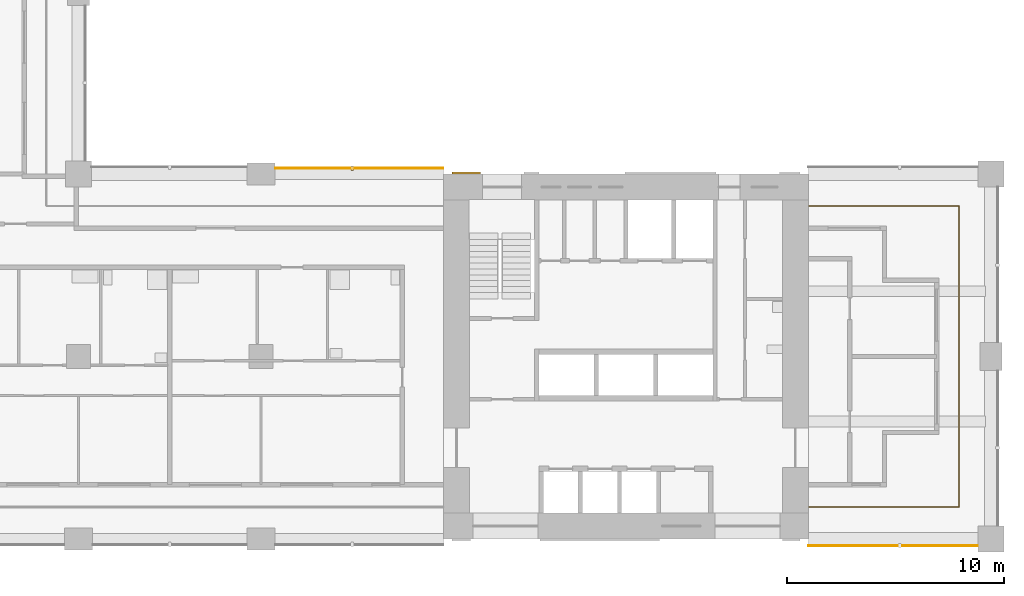
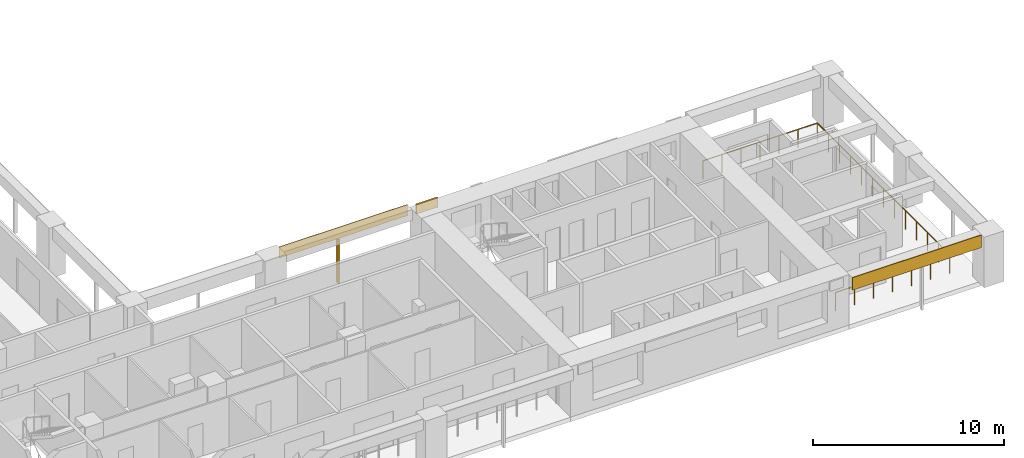
# One storey, part 12 of 17: 4 shading devices, 1 railing.
"""IFC4 building model written with IfcOpenShell, lengths in metres."""

from ifc_helpers import new_model, si_unit, direction, frame, origin, origin_2d, place, context, subcontext, project, spatial, rectangle, circle, extrude, material, layer, layer_set, material_profile, profile_set, type_object, element, save


model = new_model("IFC4")

# Units and contexts
model_context = context("Model", 3, precision=1e-05, world=origin(), true_north=direction((0.0, 1.0)))
body_context = subcontext(model_context, "Body", "Model", "MODEL_VIEW")
ifc_project = project(units=[si_unit("LENGTHUNIT", "METRE"), si_unit("AREAUNIT", "SQUARE_METRE"), si_unit("VOLUMEUNIT", "CUBIC_METRE"), si_unit("PLANEANGLEUNIT", "RADIAN"), si_unit("MASSUNIT", "GRAM", prefix="KILO")], contexts=[model_context])

# Site, building, storey
site_placement = place(None, origin())
site = spatial("IfcSite", under=ifc_project, at=site_placement, CompositionType="ELEMENT")
building_placement = place(site_placement, origin())
building = spatial("IfcBuilding", under=site, at=building_placement, Name="Vermilion Gate Residences", CompositionType="ELEMENT")
storey_placement = place(building_placement, frame((0.0, 0.0, 112.699951171875)))
storey = spatial("IfcBuildingStorey", under=building, at=storey_placement, Name="L28", CompositionType="ELEMENT", Elevation=112.699951171875)

# Railing
ifc_material_1 = material(Name="Stainless steel and toughened glass", Category="steel")
railing_type = type_object("IfcRailingType", Name="LOGGIA GUARD STEEL AND GLASS 1200", PredefinedType="GUARDRAIL", material=ifc_material_1)
railing_placement = place(storey_placement, frame((58.822021484375, 9.875, 0.0)))
element("IfcRailing", 1, at=railing_placement, inside=storey, type_object=railing_type, Name="Loggia guard", PredefinedType="GUARDRAIL", context=body_context, shape_type="SweptSolid", body=[
    extrude(circle(Radius=0.030029296875, at=origin_2d()), frame((0.0, 0.0, 1.169921875), z_axis=(1.0, 0.0, 0.0), x_axis=(0.0, 1.0, 0.0)), (0.0, 0.0, 1.0), 6.903076171875),
    extrude(circle(Radius=0.030029296875, at=origin_2d()), frame((6.903076171875, 0.0, 1.169921875), z_axis=(0.0, 1.0, 0.0), x_axis=(-1.0, 0.0, 0.0)), (0.0, 0.0, 1.0), 13.85009765625),
    extrude(circle(Radius=0.030029296875, at=origin_2d()), frame((6.903076171875, 13.85009765625, 1.169921875), z_axis=(-1.0, 0.0, 0.0), x_axis=(0.0, -1.0, 0.0)), (0.0, 0.0, 1.0), 6.903076171875),
    extrude(circle(Radius=0.02490234375, at=origin_2d()), origin(), (0.0, 0.0, 1.0), 1.139892578125),
    extrude(circle(Radius=0.02490234375, at=origin_2d()), frame((1.150390625, 0.0, 0.0)), (0.0, 0.0, 1.0), 1.139892578125),
    extrude(circle(Radius=0.02490234375, at=origin_2d()), frame((2.301025390625, 0.0, 0.0)), (0.0, 0.0, 1.0), 1.139892578125),
    extrude(circle(Radius=0.02490234375, at=origin_2d()), frame((3.45166015625, 0.0, 0.0)), (0.0, 0.0, 1.0), 1.139892578125),
    extrude(circle(Radius=0.02490234375, at=origin_2d()), frame((4.60205078125, 0.0, 0.0)), (0.0, 0.0, 1.0), 1.139892578125),
    extrude(circle(Radius=0.02490234375, at=origin_2d()), frame((5.75244140625, 0.0, 0.0)), (0.0, 0.0, 1.0), 1.139892578125),
    extrude(circle(Radius=0.02490234375, at=origin_2d()), frame((6.903076171875, 0.0, 0.0)), (0.0, 0.0, 1.0), 1.139892578125),
    extrude(circle(Radius=0.02490234375, at=origin_2d()), frame((6.903076171875, 1.154296875, 0.0)), (0.0, 0.0, 1.0), 1.139892578125),
    extrude(circle(Radius=0.02490234375, at=origin_2d()), frame((6.903076171875, 2.308349609375, 0.0)), (0.0, 0.0, 1.0), 1.139892578125),
    extrude(circle(Radius=0.02490234375, at=origin_2d()), frame((6.903076171875, 3.46240234375, 0.0)), (0.0, 0.0, 1.0), 1.139892578125),
    extrude(circle(Radius=0.02490234375, at=origin_2d()), frame((6.903076171875, 4.61669921875, 0.0)), (0.0, 0.0, 1.0), 1.139892578125),
    extrude(circle(Radius=0.02490234375, at=origin_2d()), frame((6.903076171875, 5.77099609375, 0.0)), (0.0, 0.0, 1.0), 1.139892578125),
    extrude(circle(Radius=0.02490234375, at=origin_2d()), frame((6.903076171875, 6.925048828125, 0.0)), (0.0, 0.0, 1.0), 1.139892578125),
    extrude(circle(Radius=0.02490234375, at=origin_2d()), frame((6.903076171875, 8.0791015625, 0.0)), (0.0, 0.0, 1.0), 1.139892578125),
    extrude(circle(Radius=0.02490234375, at=origin_2d()), frame((6.903076171875, 9.2333984375, 0.0)), (0.0, 0.0, 1.0), 1.139892578125),
    extrude(circle(Radius=0.02490234375, at=origin_2d()), frame((6.903076171875, 10.3876953125, 0.0)), (0.0, 0.0, 1.0), 1.139892578125),
    extrude(circle(Radius=0.02490234375, at=origin_2d()), frame((6.903076171875, 11.541748046875, 0.0)), (0.0, 0.0, 1.0), 1.139892578125),
    extrude(circle(Radius=0.02490234375, at=origin_2d()), frame((6.903076171875, 12.69580078125, 0.0)), (0.0, 0.0, 1.0), 1.139892578125),
    extrude(circle(Radius=0.02490234375, at=origin_2d()), frame((6.903076171875, 13.85009765625, 0.0)), (0.0, 0.0, 1.0), 1.139892578125),
    extrude(circle(Radius=0.02490234375, at=origin_2d()), frame((5.75244140625, 13.85009765625, 0.0)), (0.0, 0.0, 1.0), 1.139892578125),
    extrude(circle(Radius=0.02490234375, at=origin_2d()), frame((4.60205078125, 13.85009765625, 0.0)), (0.0, 0.0, 1.0), 1.139892578125),
    extrude(circle(Radius=0.02490234375, at=origin_2d()), frame((3.45166015625, 13.85009765625, 0.0)), (0.0, 0.0, 1.0), 1.139892578125),
    extrude(circle(Radius=0.02490234375, at=origin_2d()), frame((2.301025390625, 13.85009765625, 0.0)), (0.0, 0.0, 1.0), 1.139892578125),
    extrude(circle(Radius=0.02490234375, at=origin_2d()), frame((1.150390625, 13.85009765625, 0.0)), (0.0, 0.0, 1.0), 1.139892578125),
    extrude(circle(Radius=0.02490234375, at=origin_2d()), frame((0.0, 13.85009765625, 0.0)), (0.0, 0.0, 1.0), 1.139892578125),
])

# Shading devices
ifc_material_2 = material(Name="Perforated terracotta", Category="masonry")
ifc_layer_1 = layer(ifc_material_2, 0.0400390625)
ifc_layer_set_1 = layer_set([ifc_layer_1], Name="PERFORATED TERRACOTTA SCREEN 40")
shading_device_type_1 = type_object("IfcShadingDeviceType", Name="PERFORATED TERRACOTTA SCREEN 40", PredefinedType="SHUTTER", material=ifc_layer_set_1)
shading_device_1_placement = place(storey_placement, frame((62.699951171875, 8.080078125, 2.419921875), z_axis=(0.0, 0.0, 1.0), x_axis=(1.0, 0.0, 0.0)))
element("IfcShadingDevice", 2, at=shading_device_1_placement, inside=storey, type_object=shading_device_type_1, Name="SCREEN", PredefinedType="SHUTTER", context=body_context, shape_type="SweptSolid", body=[
    extrude(rectangle(XDim=7.800048828125, YDim=0.0400390625, at=origin_2d()), origin(), (0.0, 0.0, 1.0), 0.800048828125),
])
shading_device_2_placement = place(storey_placement, frame((38.125, 25.469970703125, 2.52001953125), z_axis=(0.0, 0.0, 1.0), x_axis=(-1.0, 0.0, 0.0)))
element("IfcShadingDevice", 3, at=shading_device_2_placement, inside=storey, type_object=shading_device_type_1, Name="SCREEN", PredefinedType="SHUTTER", context=body_context, shape_type="SweptSolid", body=[
    extrude(rectangle(XDim=7.75, YDim=0.0400390625, at=origin_2d()), origin(), (0.0, 0.0, 1.0), 0.699951171875),
])
ifc_material_3 = material(Name="Extruded terracotta", Category="masonry")
ifc_material_profile = material_profile(ifc_material_3, rectangle(XDim=0.199951171875, YDim=0.10009765625, at=origin_2d()), Name="BAGUETTE 100 X 200")
ifc_profile_set = profile_set([ifc_material_profile], Name="Extruded terracotta")
shading_device_type_2 = type_object("IfcShadingDeviceType", Name="TERRACOTTA BAGUETTE 100 X 200", PredefinedType="JALOUSIE", material=ifc_profile_set)
shading_device_3_placement = place(storey_placement, frame((37.800048828125, 25.449951171875, -0.280029296875), z_axis=(0.0, 0.0, 1.0), x_axis=(0.0, -1.0, 0.0)))
element("IfcShadingDevice", 4, at=shading_device_3_placement, inside=storey, type_object=shading_device_type_2, Name="BAGUETTE", PredefinedType="JALOUSIE", context=body_context, shape_type="SweptSolid", body=[
    extrude(rectangle(XDim=0.199951171875, YDim=0.10009765625, at=origin_2d()), origin(), (0.0, 0.0, 1.0), 2.800048828125),
])
ifc_material_4 = material(Name="Extruded terracotta", Category="masonry")
ifc_layer_2 = layer(ifc_material_4, 0.10009765625)
ifc_layer_set_2 = layer_set([ifc_layer_2], Name="TERRACOTTA SPANDREL BAND 600 X 100")
shading_device_type_3 = type_object("IfcShadingDeviceType", Name="TERRACOTTA SPANDREL BAND 600 X 100", PredefinedType="USERDEFINED", material=ifc_layer_set_2)
shading_device_4_placement = place(storey_placement, frame((43.050048828125, 25.25, 2.6201171875), z_axis=(0.0, 0.0, 1.0), x_axis=(1.0, 0.0, 0.0)))
element("IfcShadingDevice", 5, at=shading_device_4_placement, inside=storey, type_object=shading_device_type_3, Name="SPANDREL BAND", ObjectType="BAND", PredefinedType="USERDEFINED", context=body_context, shape_type="SweptSolid", body=[
    extrude(rectangle(XDim=1.300048828125, YDim=0.10009765625, at=origin_2d()), origin(), (0.0, 0.0, 1.0), 0.60009765625),
])

save(model, "model.ifc")
